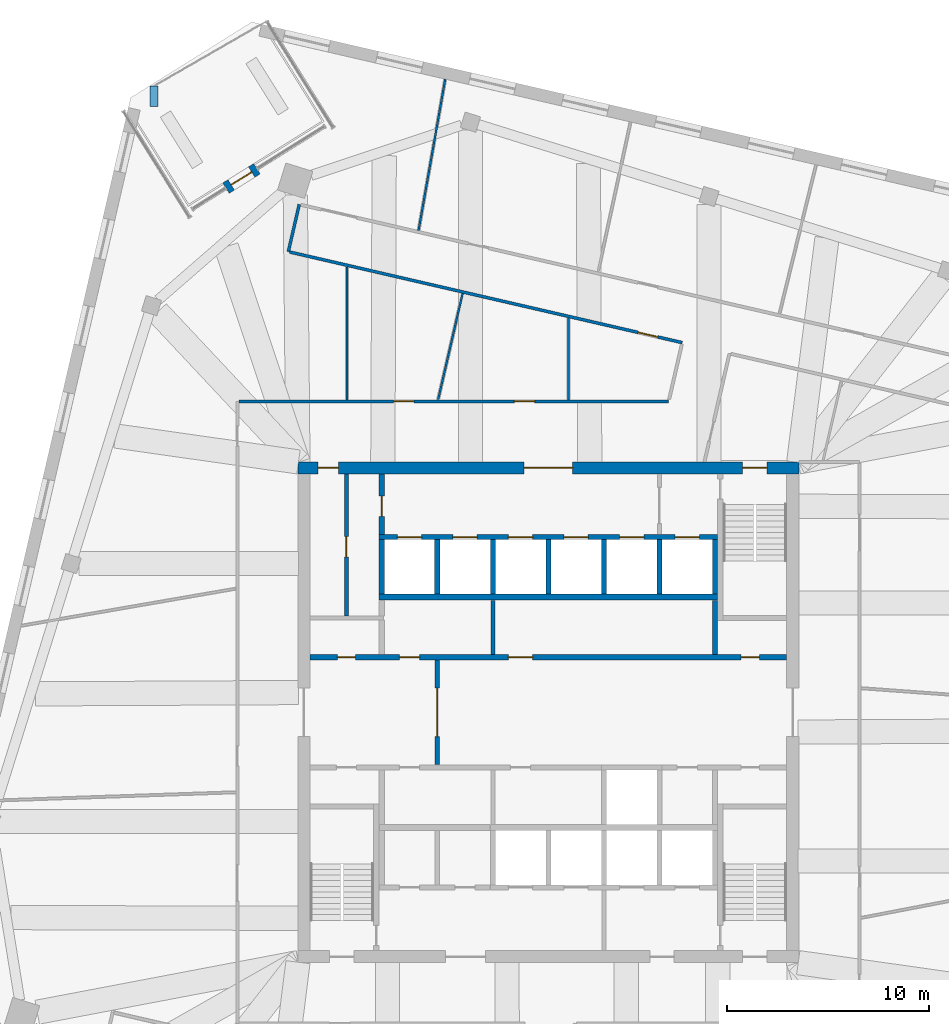
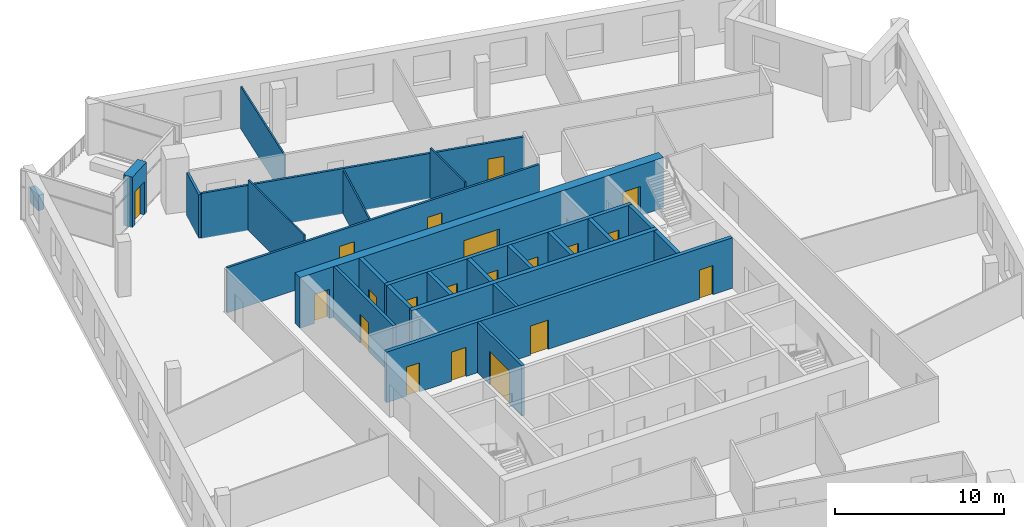
# One storey, part 9 of 14: 25 walls, 20 doors, 20 openings.
"""IFC4 building model written with IfcOpenShell, lengths in metres."""

from ifc_helpers import new_model, si_unit, direction, frame, frame_2d, origin, place, context, subcontext, project, spatial, rectangle, extrude, material, layer, layer_set, type_object, element, fill, save


model = new_model("IFC4")

# Units and contexts
model_context = context("Model", 3, precision=1e-05, world=origin(), true_north=direction((0.0, 1.0)))
body_context = subcontext(model_context, "Body", "Model", "MODEL_VIEW")
ifc_project = project(units=[si_unit("LENGTHUNIT", "METRE"), si_unit("AREAUNIT", "SQUARE_METRE"), si_unit("VOLUMEUNIT", "CUBIC_METRE"), si_unit("PLANEANGLEUNIT", "RADIAN"), si_unit("MASSUNIT", "GRAM", prefix="KILO")], contexts=[model_context])

# Site, building, storey
site_placement = place(None, origin())
site = spatial("IfcSite", under=ifc_project, at=site_placement, CompositionType="ELEMENT")
building_placement = place(site_placement, origin())
building = spatial("IfcBuilding", under=site, at=building_placement, Name="Dilmun Exchange Tower", CompositionType="ELEMENT")
storey_placement = place(building_placement, frame((0.0, 0.0, 332.5)))
storey = spatial("IfcBuildingStorey", under=building, at=storey_placement, Name="L79", CompositionType="ELEMENT", Elevation=332.5)

# Wall, opening, door
ifc_material_1 = material(Name="Concrete C40/50", Category="concrete")
ifc_layer_1 = layer(ifc_material_1, 0.199951171875)
ifc_layer_set_1 = layer_set([ifc_layer_1], Name="Concrete C40/50")
wall_type_1 = type_object("IfcWallType", Name="Core partition wall 200", PredefinedType="PARTITIONING", material=ifc_layer_set_1)
wall_1_placement = place(storey_placement, frame((-5.5, -2.594970703125, 0.0), z_axis=(0.0, 0.0, 1.0), x_axis=(0.0, 1.0, 0.0)))
wall_1 = element("IfcWall", 1, at=wall_1_placement, inside=storey, type_object=wall_type_1, Name="L79 core partition wall 11", PredefinedType="PARTITIONING", context=body_context, shape_type="SweptSolid", body=[
    extrude(rectangle(XDim=5.18994140625, YDim=0.199951171875, at=frame_2d((2.594970703125, 0.0))), origin(), (0.0, 0.0, 1.0), 3.64990234375),
])
opening_1_placement = place(wall_1_placement, frame((1.39501953125, 0.0, 0.0)))
opening_1 = element("IfcOpeningElement", 2, at=opening_1_placement, cuts=wall_1, Name="Opening CD1", PredefinedType="OPENING", context=body_context, shape_type="SweptSolid", body=[
    extrude(rectangle(XDim=2.39990234375, YDim=2.39990234375, at=frame_2d((1.199951171875, 1.199951171875))), frame((0.0, 0.10986328125, 0.0), z_axis=(0.0, -1.0, 0.0), x_axis=(1.0, 0.0, 0.0)), (0.0, 0.0, 1.0), 0.219970703125),
])
ifc_material_2 = material(Name="Fire-rated steel door set", Category="steel")
door_type_1 = type_object("IfcDoorType", Name="Core lobby door 2400x2400", OperationType="DOUBLE_DOOR_DOUBLE_SWING", PredefinedType="DOOR", material=ifc_material_2)
door_1_placement = place(opening_1_placement, origin())
door_1 = element("IfcDoor", 3, at=door_1_placement, inside=storey, type_object=door_type_1, Name="L79 door Lift lobby east", OperationType="DOUBLE_DOOR_DOUBLE_SWING", OverallHeight=2.39990234375, OverallWidth=2.39990234375, PredefinedType="DOOR", context=body_context, shape_type="SweptSolid", body=[
    extrude(rectangle(XDim=2.39990234375, YDim=2.39990234375, at=frame_2d((1.199951171875, 1.199951171875))), frame((0.0, 0.02490234375, 0.0), z_axis=(0.0, -1.0, 0.0), x_axis=(1.0, 0.0, 0.0)), (0.0, 0.0, 1.0), 0.050048828125),
])
fill(opening_1, door_1)

# Wall
wall_2_placement = place(storey_placement, frame((-2.75, 2.85498046875, 0.0), z_axis=(0.0, 0.0, 1.0), x_axis=(0.0, 1.0, 0.0)))
element("IfcWall", 4, at=wall_2_placement, inside=storey, type_object=wall_type_1, Name="L79 core partition wall 14", PredefinedType="PARTITIONING", context=body_context, shape_type="SweptSolid", body=[
    extrude(rectangle(XDim=2.68994140625, YDim=0.199951171875, at=frame_2d((1.344970703125, 0.0))), origin(), (0.0, 0.0, 1.0), 3.64990234375),
])

# Wall, opening, door
wall_3_placement = place(storey_placement, frame((-10.0, 4.780029296875, 0.0), z_axis=(0.0, 0.0, 1.0), x_axis=(0.0, 1.0, 0.0)))
wall_3 = element("IfcWall", 5, at=wall_3_placement, inside=storey, type_object=wall_type_1, Name="L79 core partition wall 17", PredefinedType="PARTITIONING", context=body_context, shape_type="SweptSolid", body=[
    extrude(rectangle(XDim=7.014892578125, YDim=0.199951171875, at=frame_2d((3.50732421875, 0.0))), origin(), (0.0, 0.0, 1.0), 3.64990234375),
])
opening_2_placement = place(wall_3_placement, frame((2.919921875, 0.0, 0.0)))
opening_2 = element("IfcOpeningElement", 6, at=opening_2_placement, cuts=wall_3, Name="Opening CD4", PredefinedType="OPENING", context=body_context, shape_type="SweptSolid", body=[
    extrude(rectangle(XDim=1.0, YDim=2.10009765625, at=frame_2d((0.5, 1.050048828125))), frame((0.0, 0.10986328125, 0.0), z_axis=(0.0, -1.0, 0.0), x_axis=(1.0, 0.0, 0.0)), (0.0, 0.0, 1.0), 0.219970703125),
])
door_type_2 = type_object("IfcDoorType", Name="Core room door 1000x2100", OperationType="SINGLE_SWING_LEFT", PredefinedType="DOOR", material=ifc_material_2)
door_2_placement = place(opening_2_placement, origin())
door_2 = element("IfcDoor", 7, at=door_2_placement, inside=storey, type_object=door_type_2, Name="L79 door Comms room", OperationType="SINGLE_SWING_RIGHT", OverallHeight=2.10009765625, OverallWidth=1.0, PredefinedType="DOOR", context=body_context, shape_type="SweptSolid", body=[
    extrude(rectangle(XDim=1.0, YDim=2.10009765625, at=frame_2d((0.5, 1.050048828125))), frame((0.0, 0.02490234375, 0.0), z_axis=(0.0, -1.0, 0.0), x_axis=(1.0, 0.0, 0.0)), (0.0, 0.0, 1.0), 0.050048828125),
])
fill(opening_2, door_2)

# Wall, openings, doors
ifc_layer_2 = layer(ifc_material_1, 0.25)
ifc_layer_set_2 = layer_set([ifc_layer_2], Name="Concrete C40/50")
wall_type_2 = type_object("IfcWallType", Name="Core partition wall 250", PredefinedType="PARTITIONING", material=ifc_layer_set_2)
wall_4_placement = place(storey_placement, frame((-11.794921875, 2.72509765625, 0.0), z_axis=(0.0, 0.0, 1.0), x_axis=(1.0, 0.0, 0.0)))
wall_4 = element("IfcWall", 8, at=wall_4_placement, inside=storey, type_object=wall_type_2, Name="L79 core partition wall 12", PredefinedType="PARTITIONING", context=body_context, shape_type="SweptSolid", body=[
    extrude(rectangle(XDim=23.58984375, YDim=0.25, at=frame_2d((11.794921875, 0.0))), origin(), (0.0, 0.0, 1.0), 3.64990234375),
])
opening_3_placement = place(wall_4_placement, frame((21.344970703125, 0.0, 0.0)))
opening_3 = element("IfcOpeningElement", 9, at=opening_3_placement, cuts=wall_4, Name="Opening CD6", PredefinedType="OPENING", context=body_context, shape_type="SweptSolid", body=[
    extrude(rectangle(XDim=0.89990234375, YDim=2.10009765625, at=frame_2d((0.449951171875, 1.050048828125))), frame((0.0, 0.135009765625, 0.0), z_axis=(0.0, -1.0, 0.0), x_axis=(1.0, 0.0, 0.0)), (0.0, 0.0, 1.0), 0.27001953125),
])
opening_4_placement = place(wall_4_placement, frame((1.344970703125, 0.0, 0.0)))
opening_4 = element("IfcOpeningElement", 10, at=opening_4_placement, cuts=wall_4, Name="Opening CD6", PredefinedType="OPENING", context=body_context, shape_type="SweptSolid", body=[
    extrude(rectangle(XDim=0.89990234375, YDim=2.10009765625, at=frame_2d((0.449951171875, 1.050048828125))), frame((0.0, 0.135009765625, 0.0), z_axis=(0.0, -1.0, 0.0), x_axis=(1.0, 0.0, 0.0)), (0.0, 0.0, 1.0), 0.27001953125),
])
opening_5_placement = place(wall_4_placement, frame((4.419921875, 0.0, 0.0)))
opening_5 = element("IfcOpeningElement", 11, at=opening_5_placement, cuts=wall_4, Name="Opening CD4", PredefinedType="OPENING", context=body_context, shape_type="SweptSolid", body=[
    extrude(rectangle(XDim=1.0, YDim=2.10009765625, at=frame_2d((0.5, 1.050048828125))), frame((0.0, 0.135009765625, 0.0), z_axis=(0.0, -1.0, 0.0), x_axis=(1.0, 0.0, 0.0)), (0.0, 0.0, 1.0), 0.27001953125),
])
opening_6_placement = place(wall_4_placement, frame((9.820068359375, 0.0, 0.0)))
opening_6 = element("IfcOpeningElement", 12, at=opening_6_placement, cuts=wall_4, Name="Opening CD3", PredefinedType="OPENING", context=body_context, shape_type="SweptSolid", body=[
    extrude(rectangle(XDim=1.199951171875, YDim=2.10009765625, at=frame_2d((0.60009765625, 1.050048828125))), frame((0.0, 0.135009765625, 0.0), z_axis=(0.0, -1.0, 0.0), x_axis=(1.0, 0.0, 0.0)), (0.0, 0.0, 1.0), 0.27001953125),
])
door_3_placement = place(opening_5_placement, origin())
door_3 = element("IfcDoor", 13, at=door_3_placement, inside=storey, type_object=door_type_2, Name="L79 door Tenant services room", OperationType="SINGLE_SWING_RIGHT", OverallHeight=2.10009765625, OverallWidth=1.0, PredefinedType="DOOR", context=body_context, shape_type="SweptSolid", body=[
    extrude(rectangle(XDim=1.0, YDim=2.10009765625, at=frame_2d((0.5, 1.050048828125))), frame((0.0, 0.02490234375, 0.0), z_axis=(0.0, -1.0, 0.0), x_axis=(1.0, 0.0, 0.0)), (0.0, 0.0, 1.0), 0.050048828125),
])
fill(opening_5, door_3)
door_type_3 = type_object("IfcDoorType", Name="Core room door 900x2100", OperationType="SINGLE_SWING_LEFT", PredefinedType="DOOR", material=ifc_material_2)
door_4_placement = place(opening_3_placement, origin())
door_4 = element("IfcDoor", 14, at=door_4_placement, inside=storey, type_object=door_type_3, Name="L79 door Electrical riser", OperationType="SINGLE_SWING_RIGHT", OverallHeight=2.10009765625, OverallWidth=0.89990234375, PredefinedType="DOOR", context=body_context, shape_type="SweptSolid", body=[
    extrude(rectangle(XDim=0.89990234375, YDim=2.10009765625, at=frame_2d((0.449951171875, 1.050048828125))), frame((0.0, 0.02490234375, 0.0), z_axis=(0.0, -1.0, 0.0), x_axis=(1.0, 0.0, 0.0)), (0.0, 0.0, 1.0), 0.050048828125),
])
fill(opening_3, door_4)
door_5_placement = place(opening_4_placement, origin())
door_5 = element("IfcDoor", 15, at=door_5_placement, inside=storey, type_object=door_type_3, Name="L79 door Plumbing riser", OperationType="SINGLE_SWING_RIGHT", OverallHeight=2.10009765625, OverallWidth=0.89990234375, PredefinedType="DOOR", context=body_context, shape_type="SweptSolid", body=[
    extrude(rectangle(XDim=0.89990234375, YDim=2.10009765625, at=frame_2d((0.449951171875, 1.050048828125))), frame((0.0, 0.02490234375, 0.0), z_axis=(0.0, -1.0, 0.0), x_axis=(1.0, 0.0, 0.0)), (0.0, 0.0, 1.0), 0.050048828125),
])
fill(opening_4, door_5)
door_type_4 = type_object("IfcDoorType", Name="Stair exit door 1200x2100", OperationType="SINGLE_SWING_LEFT", PredefinedType="DOOR", material=ifc_material_2)
door_6_placement = place(opening_6_placement, origin())
door_6 = element("IfcDoor", 16, at=door_6_placement, inside=storey, type_object=door_type_4, Name="L79 door Tenant amenity store", OperationType="SINGLE_SWING_LEFT", OverallHeight=2.10009765625, OverallWidth=1.199951171875, PredefinedType="DOOR", context=body_context, shape_type="SweptSolid", body=[
    extrude(rectangle(XDim=1.199951171875, YDim=2.10009765625, at=frame_2d((0.60009765625, 1.050048828125))), frame((0.0, 0.02490234375, 0.0), z_axis=(0.0, -1.0, 0.0), x_axis=(1.0, 0.0, 0.0)), (0.0, 0.0, 1.0), 0.050048828125),
])
fill(opening_6, door_6)

# Wall
wall_5_placement = place(storey_placement, frame((8.25, 2.85498046875, 0.0), z_axis=(0.0, 0.0, 1.0), x_axis=(0.0, 1.0, 0.0)))
element("IfcWall", 17, at=wall_5_placement, inside=storey, type_object=wall_type_2, Name="L79 core partition wall 15", PredefinedType="PARTITIONING", context=body_context, shape_type="SweptSolid", body=[
    extrude(rectangle(XDim=2.68994140625, YDim=0.25, at=frame_2d((1.344970703125, 0.0))), origin(), (0.0, 0.0, 1.0), 3.64990234375),
])

# Wall, opening, door
wall_6_placement = place(storey_placement, frame((-8.25, 8.804931640625, 0.0), z_axis=(0.0, 0.0, 1.0), x_axis=(0.0, 1.0, 0.0)))
wall_6 = element("IfcWall", 18, at=wall_6_placement, inside=storey, type_object=wall_type_2, Name="L79 core partition wall 19", PredefinedType="PARTITIONING", context=body_context, shape_type="SweptSolid", body=[
    extrude(rectangle(XDim=2.989990234375, YDim=0.25, at=frame_2d((1.4951171875, 0.0))), origin(), (0.0, 0.0, 1.0), 3.64990234375),
])
opening_7_placement = place(wall_6_placement, frame((0.89501953125, 0.0, 0.0)))
opening_7 = element("IfcOpeningElement", 19, at=opening_7_placement, cuts=wall_6, Name="Opening CD4", PredefinedType="OPENING", context=body_context, shape_type="SweptSolid", body=[
    extrude(rectangle(XDim=1.0, YDim=2.10009765625, at=frame_2d((0.5, 1.050048828125))), frame((0.0, 0.135009765625, 0.0), z_axis=(0.0, -1.0, 0.0), x_axis=(1.0, 0.0, 0.0)), (0.0, 0.0, 1.0), 0.27001953125),
])
door_7_placement = place(opening_7_placement, origin())
door_7 = element("IfcDoor", 20, at=door_7_placement, inside=storey, type_object=door_type_2, Name="L79 door Security room", OperationType="SINGLE_SWING_RIGHT", OverallHeight=2.10009765625, OverallWidth=1.0, PredefinedType="DOOR", context=body_context, shape_type="SweptSolid", body=[
    extrude(rectangle(XDim=1.0, YDim=2.10009765625, at=frame_2d((0.5, 1.050048828125))), frame((0.0, 0.02490234375, 0.0), z_axis=(0.0, -1.0, 0.0), x_axis=(1.0, 0.0, 0.0)), (0.0, 0.0, 1.0), 0.050048828125),
])
fill(opening_7, door_7)

# Wall, openings, doors
ifc_material_3 = material(Name="Concrete C50/60", Category="concrete")
ifc_layer_3 = layer(ifc_material_3, 0.60009765625)
ifc_layer_set_3 = layer_set([ifc_layer_3], Name="Concrete C50/60")
wall_type_3 = type_object("IfcWallType", Name="Core shear wall 600 Concrete C50/60", PredefinedType="SHEAR", material=ifc_layer_set_3)
wall_7_placement = place(storey_placement, frame((-12.39990234375, 12.10009765625, 0.0), z_axis=(0.0, 0.0, 1.0), x_axis=(1.0, 0.0, 0.0)))
wall_7 = element("IfcWall", 21, at=wall_7_placement, inside=storey, type_object=wall_type_3, Name="L79 core shear wall N", PredefinedType="SHEAR", context=body_context, shape_type="SweptSolid", body=[
    extrude(rectangle(XDim=24.7998046875, YDim=0.60009765625, at=frame_2d((12.39990234375, 0.0))), origin(), (0.0, 0.0, 1.0), 3.64990234375),
])
opening_8_placement = place(wall_7_placement, frame((11.199951171875, 0.0, 0.0)))
opening_8 = element("IfcOpeningElement", 22, at=opening_8_placement, cuts=wall_7, Name="Opening CD1", PredefinedType="OPENING", context=body_context, shape_type="SweptSolid", body=[
    extrude(rectangle(XDim=2.39990234375, YDim=2.39990234375, at=frame_2d((1.199951171875, 1.199951171875))), frame((0.0, 0.31005859375, 0.0), z_axis=(0.0, -1.0, 0.0), x_axis=(1.0, 0.0, 0.0)), (0.0, 0.0, 1.0), 0.6201171875),
])
opening_9_placement = place(wall_7_placement, frame((22.02490234375, 0.0, 0.0)))
opening_9 = element("IfcOpeningElement", 23, at=opening_9_placement, cuts=wall_7, Name="Opening CD3", PredefinedType="OPENING", context=body_context, shape_type="SweptSolid", body=[
    extrude(rectangle(XDim=1.199951171875, YDim=2.10009765625, at=frame_2d((0.60009765625, 1.050048828125))), frame((0.0, 0.31005859375, 0.0), z_axis=(0.0, -1.0, 0.0), x_axis=(1.0, 0.0, 0.0)), (0.0, 0.0, 1.0), 0.6201171875),
])
opening_10_placement = place(wall_7_placement, frame((1.0, 0.0, 0.0)))
opening_10 = element("IfcOpeningElement", 24, at=opening_10_placement, cuts=wall_7, Name="Opening CD4", PredefinedType="OPENING", context=body_context, shape_type="SweptSolid", body=[
    extrude(rectangle(XDim=1.0, YDim=2.10009765625, at=frame_2d((0.5, 1.050048828125))), frame((0.0, 0.31005859375, 0.0), z_axis=(0.0, -1.0, 0.0), x_axis=(1.0, 0.0, 0.0)), (0.0, 0.0, 1.0), 0.6201171875),
])
door_8_placement = place(opening_8_placement, origin())
door_8 = element("IfcDoor", 25, at=door_8_placement, inside=storey, type_object=door_type_1, Name="L79 door North lift lobby", OperationType="SINGLE_SWING_LEFT", OverallHeight=2.39990234375, OverallWidth=2.39990234375, PredefinedType="DOOR", context=body_context, shape_type="SweptSolid", body=[
    extrude(rectangle(XDim=2.39990234375, YDim=2.39990234375, at=frame_2d((1.199951171875, 1.199951171875))), frame((0.0, 0.02490234375, 0.0), z_axis=(0.0, -1.0, 0.0), x_axis=(1.0, 0.0, 0.0)), (0.0, 0.0, 1.0), 0.050048828125),
])
fill(opening_8, door_8)
door_9_placement = place(opening_10_placement, origin())
door_9 = element("IfcDoor", 26, at=door_9_placement, inside=storey, type_object=door_type_2, Name="L79 door North-west core rooms", OperationType="SINGLE_SWING_LEFT", OverallHeight=2.10009765625, OverallWidth=1.0, PredefinedType="DOOR", context=body_context, shape_type="SweptSolid", body=[
    extrude(rectangle(XDim=1.0, YDim=2.10009765625, at=frame_2d((0.5, 1.050048828125))), frame((0.0, 0.02490234375, 0.0), z_axis=(0.0, -1.0, 0.0), x_axis=(1.0, 0.0, 0.0)), (0.0, 0.0, 1.0), 0.050048828125),
])
fill(opening_10, door_9)
door_10_placement = place(opening_9_placement, origin())
door_10 = element("IfcDoor", 27, at=door_10_placement, inside=storey, type_object=door_type_4, Name="L79 door Stair ST1", OperationType="SINGLE_SWING_LEFT", OverallHeight=2.10009765625, OverallWidth=1.199951171875, PredefinedType="DOOR", context=body_context, shape_type="SweptSolid", body=[
    extrude(rectangle(XDim=1.199951171875, YDim=2.10009765625, at=frame_2d((0.60009765625, 1.050048828125))), frame((0.0, 0.02490234375, 0.0), z_axis=(0.0, -1.0, 0.0), x_axis=(1.0, 0.0, 0.0)), (0.0, 0.0, 1.0), 0.050048828125),
])
fill(opening_9, door_10)

ifc_material_4 = material(Name="Corridor wall 150")
ifc_layer_4 = layer(ifc_material_4, 0.14990234375)
ifc_layer_set_4 = layer_set([ifc_layer_4], Name="Corridor wall 150")
wall_type_4 = type_object("IfcWallType", Name="Corridor wall 150", PredefinedType="PARTITIONING", material=ifc_layer_set_4)
wall_8_placement = place(storey_placement, frame((-15.324951171875, 15.39990234375, 0.0), z_axis=(0.0, 0.0, 1.0), x_axis=(1.0, 0.0, 0.0)))
wall_8 = element("IfcWall", 28, at=wall_8_placement, inside=storey, type_object=wall_type_4, Name="Corridor wall", PredefinedType="PARTITIONING", context=body_context, shape_type="SweptSolid", body=[
    extrude(rectangle(XDim=21.284912109375, YDim=0.14990234375, at=frame_2d((10.642578125, 0.0))), origin(), (0.0, 0.0, 1.0), 3.25),
])
opening_11_placement = place(wall_8_placement, frame((7.665283203125, 0.0, 0.0)))
opening_11 = element("IfcOpeningElement", 29, at=opening_11_placement, cuts=wall_8, Name="Opening TF79-D07", PredefinedType="OPENING", context=body_context, shape_type="SweptSolid", body=[
    extrude(rectangle(XDim=1.0, YDim=2.10009765625, at=frame_2d((0.5, 1.050048828125))), frame((0.0, 0.0849609375, 0.0), z_axis=(0.0, -1.0, 0.0), x_axis=(1.0, 0.0, 0.0)), (0.0, 0.0, 1.0), 0.169921875),
])
opening_12_placement = place(wall_8_placement, frame((13.646728515625, 0.0, 0.0)))
opening_12 = element("IfcOpeningElement", 30, at=opening_12_placement, cuts=wall_8, Name="Opening TF79-D09", PredefinedType="OPENING", context=body_context, shape_type="SweptSolid", body=[
    extrude(rectangle(XDim=1.0, YDim=2.10009765625, at=frame_2d((0.5, 1.050048828125))), frame((0.0, 0.0849609375, 0.0), z_axis=(0.0, -1.0, 0.0), x_axis=(1.0, 0.0, 0.0)), (0.0, 0.0, 1.0), 0.169921875),
])
ifc_material_5 = material(Name="Fire door 1000 x 2100")
door_type_5 = type_object("IfcDoorType", Name="Fire door 1000 x 2100", OperationType="NOTDEFINED", PredefinedType="DOOR", material=ifc_material_5)
door_11_placement = place(opening_11_placement, origin())
door_11 = element("IfcDoor", 31, at=door_11_placement, inside=storey, type_object=door_type_5, Name="Door TF79-D07", OperationType="SINGLE_SWING_LEFT", OverallHeight=2.10009765625, OverallWidth=1.0, PredefinedType="DOOR", context=body_context, shape_type="SweptSolid", body=[
    extrude(rectangle(XDim=1.0, YDim=2.10009765625, at=frame_2d((0.5, 1.050048828125))), frame((0.0, 0.02490234375, 0.0), z_axis=(0.0, -1.0, 0.0), x_axis=(1.0, 0.0, 0.0)), (0.0, 0.0, 1.0), 0.050048828125),
])
fill(opening_11, door_11)
door_12_placement = place(opening_12_placement, origin())
door_12 = element("IfcDoor", 32, at=door_12_placement, inside=storey, type_object=door_type_5, Name="Door TF79-D09", OperationType="SINGLE_SWING_RIGHT", OverallHeight=2.10009765625, OverallWidth=1.0, PredefinedType="DOOR", context=body_context, shape_type="SweptSolid", body=[
    extrude(rectangle(XDim=1.0, YDim=2.10009765625, at=frame_2d((0.5, 1.050048828125))), frame((0.0, 0.02490234375, 0.0), z_axis=(0.0, -1.0, 0.0), x_axis=(1.0, 0.0, 0.0)), (0.0, 0.0, 1.0), 0.050048828125),
])
fill(opening_12, door_12)

# Wall
wall_9_placement = place(storey_placement, frame((-12.875, 22.806884765625, 0.0), z_axis=(0.0, 0.0, 1.0), x_axis=(0.224956061598, 0.974368908756, 0.0)))
element("IfcWall", 33, at=wall_9_placement, inside=storey, type_object=wall_type_4, Name="Corridor wall", PredefinedType="PARTITIONING", context=body_context, shape_type="SweptSolid", body=[
    extrude(rectangle(XDim=2.400634765625, YDim=0.14990234375, at=frame_2d((1.2001953125, 0.0))), origin(), (0.0, 0.0, 1.0), 3.1298828125),
])

# Wall, opening, door
wall_10_placement = place(storey_placement, frame((-12.802001953125, 22.7900390625, 0.0), z_axis=(0.0, 0.0, 1.0), x_axis=(0.974371384758, -0.224945336838, 0.0)))
wall_10 = element("IfcWall", 34, at=wall_10_placement, inside=storey, type_object=wall_type_4, Name="Corridor wall", PredefinedType="PARTITIONING", context=body_context, shape_type="SweptSolid", body=[
    extrude(rectangle(XDim=19.943115234375, YDim=0.14990234375, at=frame_2d((9.9716796875, 0.0))), origin(), (0.0, 0.0, 1.0), 3.25),
])
opening_13_placement = place(wall_10_placement, frame((17.705078125, 0.0, 0.0)))
opening_13 = element("IfcOpeningElement", 35, at=opening_13_placement, cuts=wall_10, Name="Opening TF79-D12", PredefinedType="OPENING", context=body_context, shape_type="SweptSolid", body=[
    extrude(rectangle(XDim=1.0, YDim=2.10009765625, at=frame_2d((0.5, 1.050048828125))), frame((0.0, 0.0849609375, 0.0), z_axis=(0.0, -1.0, 0.0), x_axis=(1.0, 0.0, 0.0)), (0.0, 0.0, 1.0), 0.169921875),
])
door_13_placement = place(opening_13_placement, frame((1.0, 0.0, 0.0), z_axis=(0.0, 0.0, 1.0), x_axis=(-1.0, 0.0, 0.0)))
door_13 = element("IfcDoor", 36, at=door_13_placement, inside=storey, type_object=door_type_5, Name="Door TF79-D12", OperationType="SINGLE_SWING_RIGHT", OverallHeight=2.10009765625, OverallWidth=1.0, PredefinedType="DOOR", context=body_context, shape_type="SweptSolid", body=[
    extrude(rectangle(XDim=1.0, YDim=2.10009765625, at=frame_2d((0.5, 1.050048828125))), frame((0.0, 0.02490234375, 0.0), z_axis=(0.0, -1.0, 0.0), x_axis=(1.0, 0.0, 0.0)), (0.0, 0.0, 1.0), 0.050048828125),
])
fill(opening_13, door_13)

# Wall
ifc_layer_5 = layer(ifc_material_1, 0.300048828125)
ifc_layer_set_5 = layer_set([ifc_layer_5], Name="Concrete C40/50")
wall_type_5 = type_object("IfcWallType", Name="Lift shaft shared wall 300", PredefinedType="SOLIDWALL", material=ifc_layer_set_5)
wall_11_placement = place(storey_placement, frame((-8.375, 5.699951171875, 0.0), z_axis=(0.0, 0.0, 1.0), x_axis=(1.0, 0.0, 0.0)))
element("IfcWall", 37, at=wall_11_placement, inside=storey, type_object=wall_type_5, Name="L79 lift shaft rear wall N", PredefinedType="SOLIDWALL", context=body_context, shape_type="SweptSolid", body=[
    extrude(rectangle(XDim=16.75, YDim=0.300048828125, at=frame_2d((8.375, 0.0))), origin(), (0.0, 0.0, 1.0), 3.64990234375),
])

# Wall, openings, doors
ifc_layer_6 = layer(ifc_material_1, 0.25)
ifc_layer_set_6 = layer_set([ifc_layer_6], Name="Concrete C40/50")
wall_type_6 = type_object("IfcWallType", Name="Lift shaft wall 250", PredefinedType="SOLIDWALL", material=ifc_layer_set_6)
wall_12_placement = place(storey_placement, frame((-8.375, 8.675048828125, 0.0), z_axis=(0.0, 0.0, 1.0), x_axis=(1.0, 0.0, 0.0)))
wall_12 = element("IfcWall", 38, at=wall_12_placement, inside=storey, type_object=wall_type_6, Name="L79 lift shaft front wall N2", PredefinedType="SOLIDWALL", context=body_context, shape_type="SweptSolid", body=[
    extrude(rectangle(XDim=16.75, YDim=0.25, at=frame_2d((8.375, 0.0))), origin(), (0.0, 0.0, 1.0), 3.64990234375),
])
opening_14_placement = place(wall_12_placement, frame((0.89990234375, 0.0, 0.0)))
opening_14 = element("IfcOpeningElement", 39, at=opening_14_placement, cuts=wall_12, Name="Opening LD", PredefinedType="OPENING", context=body_context, shape_type="SweptSolid", body=[
    extrude(rectangle(XDim=1.199951171875, YDim=2.10009765625, at=frame_2d((0.60009765625, 1.050048828125))), frame((0.0, 0.135009765625, 0.0), z_axis=(0.0, -1.0, 0.0), x_axis=(1.0, 0.0, 0.0)), (0.0, 0.0, 1.0), 0.27001953125),
])
opening_15_placement = place(wall_12_placement, frame((3.64990234375, 0.0, 0.0)))
opening_15 = element("IfcOpeningElement", 40, at=opening_15_placement, cuts=wall_12, Name="Opening LD", PredefinedType="OPENING", context=body_context, shape_type="SweptSolid", body=[
    extrude(rectangle(XDim=1.199951171875, YDim=2.10009765625, at=frame_2d((0.60009765625, 1.050048828125))), frame((0.0, 0.135009765625, 0.0), z_axis=(0.0, -1.0, 0.0), x_axis=(1.0, 0.0, 0.0)), (0.0, 0.0, 1.0), 0.27001953125),
])
opening_16_placement = place(wall_12_placement, frame((6.39990234375, 0.0, 0.0)))
opening_16 = element("IfcOpeningElement", 41, at=opening_16_placement, cuts=wall_12, Name="Opening LD", PredefinedType="OPENING", context=body_context, shape_type="SweptSolid", body=[
    extrude(rectangle(XDim=1.199951171875, YDim=2.10009765625, at=frame_2d((0.60009765625, 1.050048828125))), frame((0.0, 0.135009765625, 0.0), z_axis=(0.0, -1.0, 0.0), x_axis=(1.0, 0.0, 0.0)), (0.0, 0.0, 1.0), 0.27001953125),
])
opening_17_placement = place(wall_12_placement, frame((9.14990234375, 0.0, 0.0)))
opening_17 = element("IfcOpeningElement", 42, at=opening_17_placement, cuts=wall_12, Name="Opening LD", PredefinedType="OPENING", context=body_context, shape_type="SweptSolid", body=[
    extrude(rectangle(XDim=1.199951171875, YDim=2.10009765625, at=frame_2d((0.60009765625, 1.050048828125))), frame((0.0, 0.135009765625, 0.0), z_axis=(0.0, -1.0, 0.0), x_axis=(1.0, 0.0, 0.0)), (0.0, 0.0, 1.0), 0.27001953125),
])
opening_18_placement = place(wall_12_placement, frame((11.89990234375, 0.0, 0.0)))
opening_18 = element("IfcOpeningElement", 43, at=opening_18_placement, cuts=wall_12, Name="Opening LD", PredefinedType="OPENING", context=body_context, shape_type="SweptSolid", body=[
    extrude(rectangle(XDim=1.199951171875, YDim=2.10009765625, at=frame_2d((0.60009765625, 1.050048828125))), frame((0.0, 0.135009765625, 0.0), z_axis=(0.0, -1.0, 0.0), x_axis=(1.0, 0.0, 0.0)), (0.0, 0.0, 1.0), 0.27001953125),
])
opening_19_placement = place(wall_12_placement, frame((14.64990234375, 0.0, 0.0)))
opening_19 = element("IfcOpeningElement", 44, at=opening_19_placement, cuts=wall_12, Name="Opening LD", PredefinedType="OPENING", context=body_context, shape_type="SweptSolid", body=[
    extrude(rectangle(XDim=1.199951171875, YDim=2.10009765625, at=frame_2d((0.60009765625, 1.050048828125))), frame((0.0, 0.135009765625, 0.0), z_axis=(0.0, -1.0, 0.0), x_axis=(1.0, 0.0, 0.0)), (0.0, 0.0, 1.0), 0.27001953125),
])
door_type_6 = type_object("IfcDoorType", Name="Lift landing door 1200x2100", OperationType="DOUBLE_DOOR_SLIDING", PredefinedType="DOOR", material=ifc_material_2)
door_14_placement = place(opening_14_placement, origin())
door_14 = element("IfcDoor", 45, at=door_14_placement, inside=storey, type_object=door_type_6, Name="L79 landing door HR1", OperationType="DOUBLE_DOOR_SLIDING", OverallHeight=2.10009765625, OverallWidth=1.199951171875, PredefinedType="DOOR", context=body_context, shape_type="SweptSolid", body=[
    extrude(rectangle(XDim=1.199951171875, YDim=2.10009765625, at=frame_2d((0.60009765625, 1.050048828125))), frame((0.0, 0.02490234375, 0.0), z_axis=(0.0, -1.0, 0.0), x_axis=(1.0, 0.0, 0.0)), (0.0, 0.0, 1.0), 0.050048828125),
])
fill(opening_14, door_14)
door_15_placement = place(opening_15_placement, origin())
door_15 = element("IfcDoor", 46, at=door_15_placement, inside=storey, type_object=door_type_6, Name="L79 landing door HR2", OperationType="DOUBLE_DOOR_SLIDING", OverallHeight=2.10009765625, OverallWidth=1.199951171875, PredefinedType="DOOR", context=body_context, shape_type="SweptSolid", body=[
    extrude(rectangle(XDim=1.199951171875, YDim=2.10009765625, at=frame_2d((0.60009765625, 1.050048828125))), frame((0.0, 0.02490234375, 0.0), z_axis=(0.0, -1.0, 0.0), x_axis=(1.0, 0.0, 0.0)), (0.0, 0.0, 1.0), 0.050048828125),
])
fill(opening_15, door_15)
door_16_placement = place(opening_16_placement, origin())
door_16 = element("IfcDoor", 47, at=door_16_placement, inside=storey, type_object=door_type_6, Name="L79 landing door HR3", OperationType="DOUBLE_DOOR_SLIDING", OverallHeight=2.10009765625, OverallWidth=1.199951171875, PredefinedType="DOOR", context=body_context, shape_type="SweptSolid", body=[
    extrude(rectangle(XDim=1.199951171875, YDim=2.10009765625, at=frame_2d((0.60009765625, 1.050048828125))), frame((0.0, 0.02490234375, 0.0), z_axis=(0.0, -1.0, 0.0), x_axis=(1.0, 0.0, 0.0)), (0.0, 0.0, 1.0), 0.050048828125),
])
fill(opening_16, door_16)
door_17_placement = place(opening_17_placement, origin())
door_17 = element("IfcDoor", 48, at=door_17_placement, inside=storey, type_object=door_type_6, Name="L79 landing door HR4", OperationType="DOUBLE_DOOR_SLIDING", OverallHeight=2.10009765625, OverallWidth=1.199951171875, PredefinedType="DOOR", context=body_context, shape_type="SweptSolid", body=[
    extrude(rectangle(XDim=1.199951171875, YDim=2.10009765625, at=frame_2d((0.60009765625, 1.050048828125))), frame((0.0, 0.02490234375, 0.0), z_axis=(0.0, -1.0, 0.0), x_axis=(1.0, 0.0, 0.0)), (0.0, 0.0, 1.0), 0.050048828125),
])
fill(opening_17, door_17)
door_18_placement = place(opening_18_placement, origin())
door_18 = element("IfcDoor", 49, at=door_18_placement, inside=storey, type_object=door_type_6, Name="L79 landing door HR5", OperationType="DOUBLE_DOOR_SLIDING", OverallHeight=2.10009765625, OverallWidth=1.199951171875, PredefinedType="DOOR", context=body_context, shape_type="SweptSolid", body=[
    extrude(rectangle(XDim=1.199951171875, YDim=2.10009765625, at=frame_2d((0.60009765625, 1.050048828125))), frame((0.0, 0.02490234375, 0.0), z_axis=(0.0, -1.0, 0.0), x_axis=(1.0, 0.0, 0.0)), (0.0, 0.0, 1.0), 0.050048828125),
])
fill(opening_18, door_18)
door_19_placement = place(opening_19_placement, origin())
door_19 = element("IfcDoor", 50, at=door_19_placement, inside=storey, type_object=door_type_6, Name="L79 landing door HR6", OperationType="DOUBLE_DOOR_SLIDING", OverallHeight=2.10009765625, OverallWidth=1.199951171875, PredefinedType="DOOR", context=body_context, shape_type="SweptSolid", body=[
    extrude(rectangle(XDim=1.199951171875, YDim=2.10009765625, at=frame_2d((0.60009765625, 1.050048828125))), frame((0.0, 0.02490234375, 0.0), z_axis=(0.0, -1.0, 0.0), x_axis=(1.0, 0.0, 0.0)), (0.0, 0.0, 1.0), 0.050048828125),
])
fill(opening_19, door_19)

# Walls
for number, where, z_axis, x_axis, name in (
    (51, (-8.25, 5.85009765625, 0.0), (0.0, 0.0, 1.0), (0.0, 1.0, 0.0), "L79 lift shaft divider N20"),
    (52, (-5.5, 5.85009765625, 0.0), (0.0, 0.0, 1.0), (0.0, 1.0, 0.0), "L79 lift shaft divider N21"),
    (53, (-2.75, 5.85009765625, 0.0), (0.0, 0.0, 1.0), (0.0, 1.0, 0.0), "L79 lift shaft divider N22"),
    (54, (0.0, 5.85009765625, 0.0), (0.0, 0.0, 1.0), (0.0, 1.0, 0.0), "L79 lift shaft divider N23"),
    (55, (2.75, 5.85009765625, 0.0), (0.0, 0.0, 1.0), (0.0, 1.0, 0.0), "L79 lift shaft divider N24"),
    (56, (5.5, 5.85009765625, 0.0), (0.0, 0.0, 1.0), (0.0, 1.0, 0.0), "L79 lift shaft divider N25"),
    (57, (8.25, 5.85009765625, 0.0), (0.0, 0.0, 1.0), (0.0, 1.0, 0.0), "L79 lift shaft divider N26"),
):
    element("IfcWall", number, at=place(storey_placement, frame(where, z_axis=z_axis, x_axis=x_axis)), inside=storey, type_object=wall_type_6, Name=name, PredefinedType="SOLIDWALL", context=body_context, shape_type="SweptSolid", body=[
        extrude(rectangle(XDim=2.699951171875, YDim=0.25, at=frame_2d((1.35009765625, 0.0))), origin(), (0.0, 0.0, 1.0), 3.64990234375),
    ])
ifc_material_6 = material(Name="Partition 100")
ifc_layer_7 = layer(ifc_material_6, 0.10009765625)
ifc_layer_set_7 = layer_set([ifc_layer_7], Name="Partition 100")
wall_type_7 = type_object("IfcWallType", Name="Partition 100", PredefinedType="PARTITIONING", material=ifc_layer_set_7)
wall_13_placement = place(storey_placement, frame((-9.9599609375, 15.47509765625, 0.0), z_axis=(0.0, 0.0, 1.0), x_axis=(0.0, 1.0, 0.0)))
element("IfcWall", 58, at=wall_13_placement, inside=storey, type_object=wall_type_7, Name="Partition", PredefinedType="PARTITIONING", context=body_context, shape_type="SweptSolid", body=[
    extrude(rectangle(XDim=6.5703125, YDim=0.10009765625, at=frame_2d((3.28515625, 0.0))), origin(), (0.0, 0.0, 1.0), 3.64990234375),
])
wall_14_placement = place(storey_placement, frame((-6.425537109375, 23.861572265625, 0.0), z_axis=(0.0, 0.0, 1.0), x_axis=(0.173571031003, 0.984821352935, 0.0)))
element("IfcWall", 59, at=wall_14_placement, inside=storey, type_object=wall_type_7, Name="Partition", PredefinedType="PARTITIONING", context=body_context, shape_type="SweptSolid", body=[
    extrude(rectangle(XDim=7.60400390625, YDim=0.10009765625, at=frame_2d((3.802001953125, 0.0))), origin(), (0.0, 0.0, 1.0), 3.050048828125),
])
wall_15_placement = place(storey_placement, frame((-5.4580078125, 15.486083984375, 0.0), z_axis=(0.0, 0.0, 1.0), x_axis=(0.224899204936, 0.974382033711, 0.0)))
element("IfcWall", 60, at=wall_15_placement, inside=storey, type_object=wall_type_7, Name="Partition", PredefinedType="PARTITIONING", context=body_context, shape_type="SweptSolid", body=[
    extrude(rectangle(XDim=5.389892578125, YDim=0.10009765625, at=frame_2d((2.69482421875, 0.0))), origin(), (0.0, 0.0, 1.0), 3.1298828125),
])
wall_16_placement = place(storey_placement, frame((0.989990234375, 15.47509765625, 0.0), z_axis=(0.0, 0.0, 1.0), x_axis=(0.0, 1.0, 0.0)))
element("IfcWall", 61, at=wall_16_placement, inside=storey, type_object=wall_type_7, Name="Partition", PredefinedType="PARTITIONING", context=body_context, shape_type="SweptSolid", body=[
    extrude(rectangle(XDim=4.04248046875, YDim=0.10009765625, at=frame_2d((2.021240234375, 0.0))), origin(), (0.0, 0.0, 1.0), 3.64990234375),
])

# Wall, opening, door
ifc_material_7 = material(Name="Precast concrete C50/60", Category="concrete")
ifc_layer_8 = layer(ifc_material_7, 0.60009765625)
ifc_layer_set_8 = layer_set([ifc_layer_8], Name="Precast concrete C50/60")
wall_type_8 = type_object("IfcWallType", Name="Precast stone-clad wall 600", PredefinedType="STANDARD", material=ifc_layer_set_8)
wall_17_placement = place(storey_placement, frame((-14.43212890625, 26.910888671875, 0.0), z_axis=(0.0, 0.0, 1.0), x_axis=(-0.848005922786, -0.529986749759, 0.0)))
wall_17 = element("IfcWall", 62, at=wall_17_placement, inside=storey, type_object=wall_type_8, Name="Facade wall L79-01-D", PredefinedType="STANDARD", context=body_context, shape_type="SweptSolid", body=[
    extrude(rectangle(XDim=1.80029296875, YDim=0.60009765625, at=frame_2d((0.900146484375, 0.0))), origin(), (0.0, 0.0, 1.0), 3.64990234375),
])
opening_20_placement = place(wall_17_placement, frame((0.300048828125, 0.0, 0.0)))
opening_20 = element("IfcOpeningElement", 63, at=opening_20_placement, cuts=wall_17, Name="Opening GD-1", PredefinedType="OPENING", context=body_context, shape_type="SweptSolid", body=[
    extrude(rectangle(XDim=1.199951171875, YDim=2.39990234375, at=frame_2d((0.60009765625, 1.199951171875))), frame((0.0, 0.31005859375, 0.0), z_axis=(0.0, -1.0, 0.0), x_axis=(1.0, 0.0, 0.0)), (0.0, 0.0, 1.0), 0.6201171875),
])
ifc_material_8 = material(Name="Clear low-emissivity glass in aluminium frame", Category="aluminium")
door_type_7 = type_object("IfcDoorType", Name="Glazed garden door 1200 x 2400", OperationType="SINGLE_SWING_LEFT", PredefinedType="DOOR", material=ifc_material_8)
door_20_placement = place(opening_20_placement, origin())
door_20 = element("IfcDoor", 64, at=door_20_placement, inside=storey, type_object=door_type_7, Name="Garden terrace door", OperationType="SINGLE_SWING_LEFT", OverallHeight=2.39990234375, OverallWidth=1.199951171875, PredefinedType="DOOR", context=body_context, shape_type="SweptSolid", body=[
    extrude(rectangle(XDim=1.199951171875, YDim=2.39990234375, at=frame_2d((0.60009765625, 1.199951171875))), frame((0.0, 0.02490234375, 0.0), z_axis=(0.0, -1.0, 0.0), x_axis=(1.0, 0.0, 0.0)), (0.0, 0.0, 1.0), 0.050048828125),
])
fill(opening_20, door_20)

# Wall
ifc_layer_9 = layer(ifc_material_7, 0.39990234375)
ifc_layer_set_9 = layer_set([ifc_layer_9], Name="Precast concrete C50/60")
wall_type_9 = type_object("IfcWallType", Name="Terrace upstand wall 400", PredefinedType="PARAPET", material=ifc_layer_set_9)
wall_18_placement = place(storey_placement, frame((-19.534423828125, 31.009033203125, 0.0), z_axis=(0.0, 0.0, 1.0), x_axis=(0.0, -1.0, 0.0)))
element("IfcWall", 65, at=wall_18_placement, inside=storey, type_object=wall_type_9, Name="Terrace upstand wall 1", PredefinedType="PARAPET", context=body_context, shape_type="SweptSolid", body=[
    extrude(rectangle(XDim=1.009033203125, YDim=0.39990234375, at=frame_2d((0.50439453125, 0.0))), origin(), (0.0, 0.0, 1.0), 1.10009765625),
])

save(model, "model.ifc")
